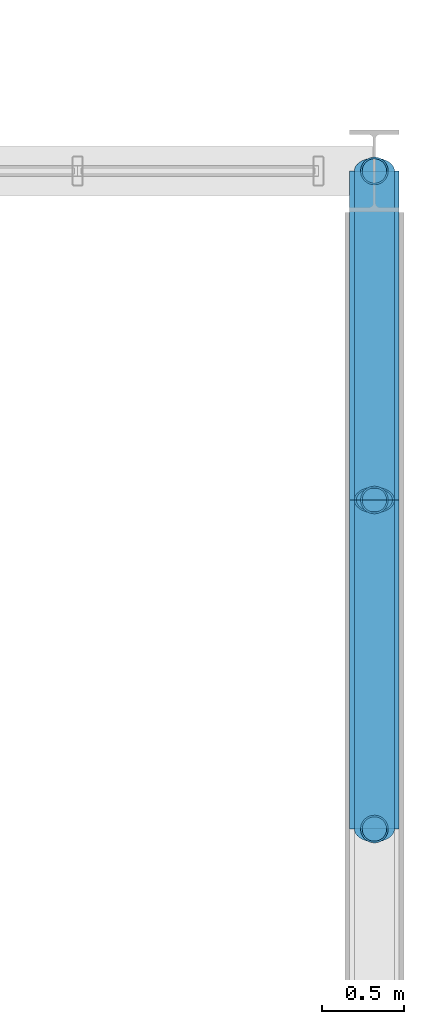
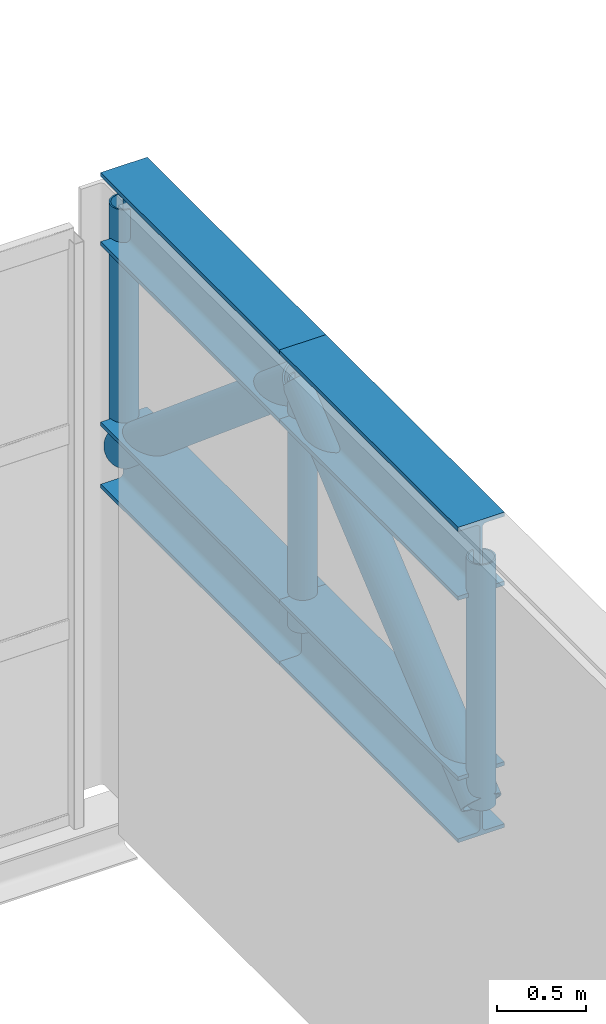
# One storey, part 43 of 67: 9 members.
"""IFC4 building model written with IfcOpenShell, lengths in metres."""

from ifc_helpers import new_model, si_unit, derived_unit, direction, frame, origin, origin_2d, place, context, subcontext, project, spatial, hollow_circle, i_section, extrude, material, material_profile, profile_set, type_object, element, save


model = new_model("IFC4")

# Units and contexts
model_context = context("Model", 3, precision=1e-05, world=origin(), true_north=direction((0.0, 1.0)))
body_context = subcontext(model_context, "Body", "Model", "MODEL_VIEW")
ifc_project = project(units=[si_unit("LENGTHUNIT", "METRE"), si_unit("AREAUNIT", "SQUARE_METRE"), si_unit("VOLUMEUNIT", "CUBIC_METRE"), si_unit("PLANEANGLEUNIT", "RADIAN"), si_unit("MASSUNIT", "GRAM", prefix="KILO"), derived_unit("THERMALTRANSMITTANCEUNIT", [(si_unit("POWERUNIT", "WATT"), 1), (si_unit("LENGTHUNIT", "METRE"), -2), (si_unit("THERMODYNAMICTEMPERATUREUNIT", "KELVIN"), -1)])], contexts=[model_context])

# Site, building, storey
site_placement = place(None, origin())
site = spatial("IfcSite", under=ifc_project, at=site_placement, CompositionType="ELEMENT")
building_placement = place(site_placement, origin())
building = spatial("IfcBuilding", under=site, at=building_placement, Name="Keldorne Ridge Multi-Sports Centre", CompositionType="ELEMENT")
storey_placement = place(building_placement, frame((0.0, 0.0, 14.0)))
storey = spatial("IfcBuildingStorey", under=building, at=storey_placement, Name="L03", CompositionType="ELEMENT", Elevation=14.0)

# Members
ifc_material = material(Name="Steel S355", Category="steel")
ifc_material_profile_1 = material_profile(ifc_material, i_section(OverallWidth=0.300048828125, OverallDepth=0.5, WebThickness=0.014404296875, FlangeThickness=0.028076171875, FilletRadius=0.027099609375, at=origin_2d()), Name="HEB 500")
ifc_profile_set_1 = profile_set([ifc_material_profile_1], Name="Steel S355")
member_type_1 = type_object("IfcMemberType", Name="MEM-TC-03", PredefinedType="CHORD", material=ifc_profile_set_1)
for number, where, z_axis, x_axis, name in (
    (1, (168.0, 50.0, 4.110107421875), (0.0, 1.0, 0.0), (-1.0, 0.0, 0.0), "Stacked Courts Warren TRUSS WT-L04-09 top chord 23"),
    (2, (168.0, 52.0, 4.110107421875), (0.0, 1.0, 0.0), (-1.0, 0.0, 0.0), "Stacked Courts Warren TRUSS WT-L04-09 top chord 24"),
):
    element("IfcMember", number, at=place(storey_placement, frame(where, z_axis=z_axis, x_axis=x_axis)), inside=storey, type_object=member_type_1, Name=name, PredefinedType="CHORD", context=body_context, shape_type="SweptSolid", body=[
        extrude(i_section(OverallWidth=0.300048828125, OverallDepth=0.5, WebThickness=0.014404296875, FlangeThickness=0.028076171875, FilletRadius=0.027099609375, at=origin_2d()), origin(), (0.0, 0.0, 1.0), 2.0),
    ])
ifc_material_profile_2 = material_profile(ifc_material, i_section(OverallWidth=0.300048828125, OverallDepth=0.449951171875, WebThickness=0.013916015625, FlangeThickness=0.02587890625, FilletRadius=0.027099609375, at=origin_2d()), Name="HEB 450")
ifc_profile_set_2 = profile_set([ifc_material_profile_2], Name="Steel S355")
member_type_2 = type_object("IfcMemberType", Name="MEM-TC-04", PredefinedType="CHORD", material=ifc_profile_set_2)
for number, where, z_axis, x_axis, name in (
    (3, (168.0, 50.0, 2.429931640625), (0.0, 1.0, 0.0), (-1.0, 0.0, 0.0), "Stacked Courts Warren TRUSS WT-L04-09 bottom chord 23"),
    (4, (168.0, 52.0, 2.429931640625), (0.0, 1.0, 0.0), (-1.0, 0.0, 0.0), "Stacked Courts Warren TRUSS WT-L04-09 bottom chord 24"),
):
    element("IfcMember", number, at=place(storey_placement, frame(where, z_axis=z_axis, x_axis=x_axis)), inside=storey, type_object=member_type_2, Name=name, PredefinedType="CHORD", context=body_context, shape_type="SweptSolid", body=[
        extrude(i_section(OverallWidth=0.300048828125, OverallDepth=0.449951171875, WebThickness=0.013916015625, FlangeThickness=0.02587890625, FilletRadius=0.027099609375, at=origin_2d()), origin(), (0.0, 0.0, 1.0), 2.0),
    ])
ifc_material_profile_3 = material_profile(ifc_material, hollow_circle(Radius=0.122314453125, WallThickness=0.012451171875, at=origin_2d()), Name="CHS 244.5x12.5")
ifc_profile_set_3 = profile_set([ifc_material_profile_3], Name="Steel S355")
member_type_3 = type_object("IfcMemberType", Name="MEM-TD-02", PredefinedType="BRACE", material=ifc_profile_set_3)
for number, where, z_axis, x_axis, name in (
    (5, (168.0, 50.0, 2.429931640625), (0.0, 0.765671721121, 0.643231541108), (-1.0, 0.0, 0.0), "Stacked Courts Warren TRUSS WT-L04-09 diagonal 23"),
    (6, (168.0, 52.0, 4.110107421875), (0.0, 0.765671721121, -0.643231541108), (-1.0, 0.0, 0.0), "Stacked Courts Warren TRUSS WT-L04-09 diagonal 24"),
):
    element("IfcMember", number, at=place(storey_placement, frame(where, z_axis=z_axis, x_axis=x_axis)), inside=storey, type_object=member_type_3, Name=name, PredefinedType="BRACE", context=body_context, shape_type="SweptSolid", body=[
        extrude(hollow_circle(Radius=0.122314453125, WallThickness=0.012451171875, at=origin_2d()), origin(), (0.0, 0.0, 1.0), 2.612060546875),
    ])
ifc_material_profile_4 = material_profile(ifc_material, hollow_circle(Radius=0.084228515625, WallThickness=0.010009765625, at=origin_2d()), Name="CHS 168.3x10")
ifc_profile_set_4 = profile_set([ifc_material_profile_4], Name="Steel S355")
member_type_4 = type_object("IfcMemberType", Name="MEM-TV-01", PredefinedType="STRUT", material=ifc_profile_set_4)
for number, where, z_axis, x_axis, name in (
    (7, (168.0, 50.0, 2.429931640625), (0.0, 0.0, 1.0), (1.0, 0.0, 0.0), "Stacked Courts Warren TRUSS WT-L04-09 post 23"),
    (8, (168.0, 52.0, 2.429931640625), (0.0, 0.0, 1.0), (1.0, 0.0, 0.0), "Stacked Courts Warren TRUSS WT-L04-09 post 24"),
    (9, (168.0, 54.0, 2.429931640625), (0.0, 0.0, 1.0), (1.0, 0.0, 0.0), "Stacked Courts Warren TRUSS WT-L04-09 end post 24"),
):
    element("IfcMember", number, at=place(storey_placement, frame(where, z_axis=z_axis, x_axis=x_axis)), inside=storey, type_object=member_type_4, Name=name, PredefinedType="STRUT", context=body_context, shape_type="SweptSolid", body=[
        extrude(hollow_circle(Radius=0.084228515625, WallThickness=0.010009765625, at=origin_2d()), origin(), (0.0, 0.0, 1.0), 1.68017578125),
    ])

save(model, "model.ifc")
